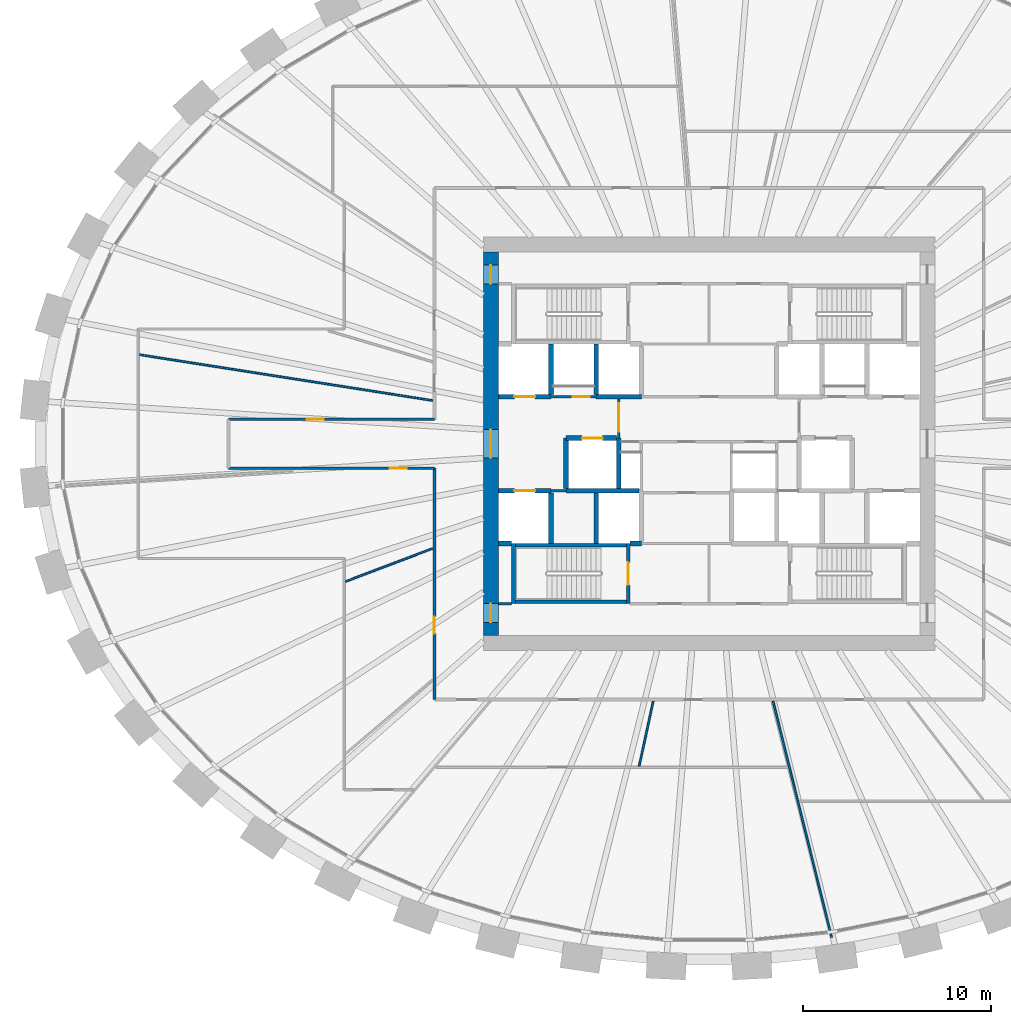
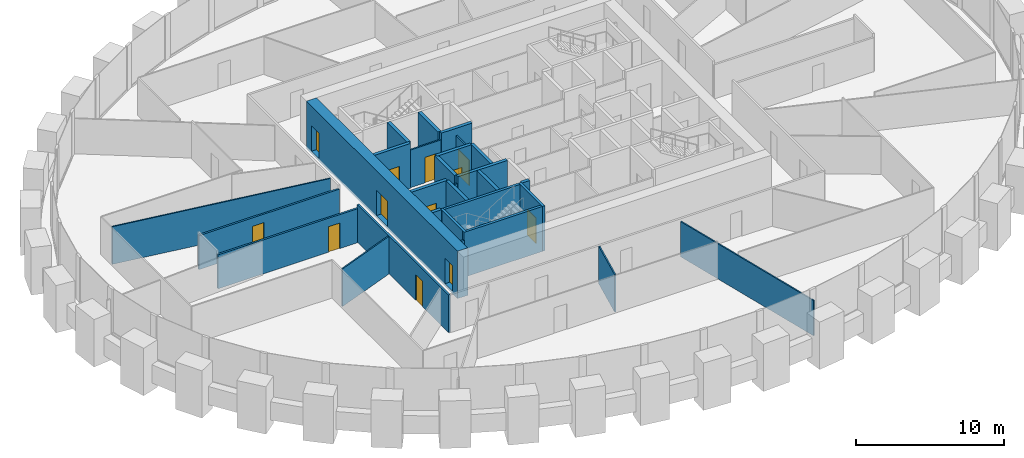
# One storey, part 6 of 11: 29 walls, 12 doors, 12 openings.
"""IFC4 building model written with IfcOpenShell, lengths in metres."""

from ifc_helpers import new_model, si_unit, direction, frame, frame_2d, origin, place, context, subcontext, project, spatial, rectangle, extrude, source, transform, mapped, material, layer, layer_set, type_object, element, fill, save


model = new_model("IFC4")

# Units and contexts
model_context = context("Model", 3, precision=1e-05, world=origin(), true_north=direction((0.0, 1.0)))
body_context = subcontext(model_context, "Body", "Model", "MODEL_VIEW")
ifc_project = project(units=[si_unit("LENGTHUNIT", "METRE"), si_unit("AREAUNIT", "SQUARE_METRE"), si_unit("VOLUMEUNIT", "CUBIC_METRE"), si_unit("PLANEANGLEUNIT", "RADIAN"), si_unit("MASSUNIT", "GRAM", prefix="KILO")], contexts=[model_context])

# Site, building, storey
site_placement = place(None, origin())
site = spatial("IfcSite", under=ifc_project, at=site_placement, CompositionType="ELEMENT")
building_placement = place(site_placement, origin())
building = spatial("IfcBuilding", under=site, at=building_placement, Name="Embergate Tower", CompositionType="ELEMENT")
storey_placement = place(building_placement, frame((0.0, 0.0, 207.300048828125)))
storey = spatial("IfcBuildingStorey", under=building, at=storey_placement, Name="L47", CompositionType="ELEMENT", Elevation=207.300048828125)

# Wall, openings, doors
ifc_material_1 = material(Name="Concrete C70", Category="concrete")
ifc_layer_1 = layer(ifc_material_1, 0.800048828125)
ifc_layer_set_1 = layer_set([ifc_layer_1], Name="Concrete C70")
wall_type_1 = type_object("IfcWallType", Name="Core outer wall C70 800", PredefinedType="SHEAR", material=ifc_layer_set_1)
shared_shape_1 = source(origin(), body_context, "Body", "SweptSolid", [
    extrude(rectangle(XDim=20.39990234375, YDim=0.800048828125, at=frame_2d((10.199951171875, 0.0))), origin(), (0.0, 0.0, 1.0), 3.89990234375),
])
wall_1_placement = place(storey_placement, frame((-11.60009765625, -10.199951171875, -0.199951171875), z_axis=(0.0, 0.0, 1.0), x_axis=(0.0, 1.0, 0.0)))
wall_1 = element("IfcWall", 1, at=wall_1_placement, inside=storey, type_object=wall_type_1, Name="CW-L47-W", PredefinedType="SHEAR", context=body_context, shape_type="MappedRepresentation", body=[
    mapped(shared_shape_1, transform((0.0, 0.0, 0.0))),
])
shared_shape_2 = source(origin(), body_context, "Body", "SweptSolid", [
    extrude(rectangle(XDim=1.0, YDim=2.10009765625, at=frame_2d((0.5, 1.050048828125))), frame((0.0, 0.409912109375, 0.0), z_axis=(0.0, -1.0, 0.0), x_axis=(1.0, 0.0, 0.0)), (0.0, 0.0, 1.0), 0.820068359375),
])
opening_1_placement = place(wall_1_placement, frame((18.699951171875, 0.0, 0.199951171875)))
opening_1 = element("IfcOpeningElement", 2, at=opening_1_placement, cuts=wall_1, Name="Opening IF-1d", PredefinedType="OPENING", context=body_context, shape_type="MappedRepresentation", body=[
    mapped(shared_shape_2, transform((0.0, 0.0, 0.0))),
])
opening_2_placement = place(wall_1_placement, frame((0.699951171875, 0.0, 0.199951171875)))
opening_2 = element("IfcOpeningElement", 3, at=opening_2_placement, cuts=wall_1, Name="Opening IF-1d", PredefinedType="OPENING", context=body_context, shape_type="MappedRepresentation", body=[
    mapped(shared_shape_2, transform((0.0, 0.0, 0.0))),
])
shared_shape_3 = source(origin(), body_context, "Body", "SweptSolid", [
    extrude(rectangle(XDim=1.5, YDim=2.10009765625, at=frame_2d((0.75, 1.050048828125))), frame((0.0, 0.409912109375, 0.0), z_axis=(0.0, -1.0, 0.0), x_axis=(1.0, 0.0, 0.0)), (0.0, 0.0, 1.0), 0.820068359375),
])
opening_3_placement = place(wall_1_placement, frame((9.449951171875, 0.0, 0.199951171875)))
opening_3 = element("IfcOpeningElement", 4, at=opening_3_placement, cuts=wall_1, Name="Opening IF-3", PredefinedType="OPENING", context=body_context, shape_type="MappedRepresentation", body=[
    mapped(shared_shape_3, transform((0.0, 0.0, 0.0))),
])
ifc_material_2 = material(Name="Lobby fire door pair 1500")
door_type_1 = type_object("IfcDoorType", Name="Lobby fire door pair 1500", OperationType="DOUBLE_DOOR_SINGLE_SWING", PredefinedType="DOOR", material=ifc_material_2)
shared_shape_4 = source(origin(), body_context, "Body", "SweptSolid", [
    extrude(rectangle(XDim=1.5, YDim=2.10009765625, at=frame_2d((0.75, 1.050048828125))), frame((0.0, 0.02490234375, 0.0), z_axis=(0.0, -1.0, 0.0), x_axis=(1.0, 0.0, 0.0)), (0.0, 0.0, 1.0), 0.050048828125),
])
door_1_placement = place(opening_3_placement, origin())
door_1 = element("IfcDoor", 5, at=door_1_placement, inside=storey, type_object=door_type_1, Name="IF-3 door", OperationType="DOUBLE_DOOR_SINGLE_SWING", OverallHeight=2.10009765625, OverallWidth=1.5, PredefinedType="DOOR", context=body_context, shape_type="MappedRepresentation", body=[
    mapped(shared_shape_4, transform((0.0, 0.0, 0.0))),
])
fill(opening_3, door_1)
ifc_material_3 = material(Name="Escape fire door 1000")
door_type_2 = type_object("IfcDoorType", Name="Escape fire door 1000", OperationType="SINGLE_SWING_LEFT", PredefinedType="DOOR", material=ifc_material_3)
shared_shape_5 = source(origin(), body_context, "Body", "SweptSolid", [
    extrude(rectangle(XDim=1.0, YDim=2.10009765625, at=frame_2d((0.5, 1.050048828125))), frame((0.0, 0.02490234375, 0.0), z_axis=(0.0, -1.0, 0.0), x_axis=(1.0, 0.0, 0.0)), (0.0, 0.0, 1.0), 0.050048828125),
])
door_2_placement = place(opening_1_placement, origin())
door_2 = element("IfcDoor", 6, at=door_2_placement, inside=storey, type_object=door_type_2, Name="IF-1 door", OperationType="SINGLE_SWING_LEFT", OverallHeight=2.10009765625, OverallWidth=1.0, PredefinedType="DOOR", context=body_context, shape_type="MappedRepresentation", body=[
    mapped(shared_shape_5, transform((0.0, 0.0, 0.0))),
])
fill(opening_1, door_2)
door_3_placement = place(opening_2_placement, origin())
door_3 = element("IfcDoor", 7, at=door_3_placement, inside=storey, type_object=door_type_2, Name="IF-1 door", OperationType="SINGLE_SWING_LEFT", OverallHeight=2.10009765625, OverallWidth=1.0, PredefinedType="DOOR", context=body_context, shape_type="MappedRepresentation", body=[
    mapped(shared_shape_5, transform((0.0, 0.0, 0.0))),
])
fill(opening_2, door_3)

# Walls
ifc_material_4 = material(Name="Concrete C50", Category="concrete")
ifc_layer_2 = layer(ifc_material_4, 0.25)
ifc_layer_set_2 = layer_set([ifc_layer_2], Name="Concrete C50")
wall_type_2 = type_object("IfcWallType", Name="Hoistway wall reinforced concrete 250", PredefinedType="SHEAR", material=ifc_layer_set_2)
shared_shape_6 = source(origin(), body_context, "Body", "SweptSolid", [
    extrude(rectangle(XDim=2.675048828125, YDim=0.25, at=frame_2d((1.33740234375, 0.0))), origin(), (0.0, 0.0, 1.0), 3.699951171875),
])
for number, where, z_axis, x_axis, name in (
    (8, (-8.39990234375, 2.625, 0.0), (0.0, 0.0, 1.0), (0.0, 1.0, 0.0), "HW-1 wall"),
    (9, (-6.0, 2.625, 0.0), (0.0, 0.0, 1.0), (0.0, 1.0, 0.0), "HW-1 wall"),
    (10, (-4.800048828125, 0.300048828125, 0.0), (0.0, 0.0, 1.0), (0.0, -1.0, 0.0), "HW-1 wall"),
):
    element("IfcWall", number, at=place(storey_placement, frame(where, z_axis=z_axis, x_axis=x_axis)), inside=storey, type_object=wall_type_2, Name=name, PredefinedType="SHEAR", context=body_context, shape_type="MappedRepresentation", body=[
        mapped(shared_shape_6, transform((0.0, 0.0, 0.0))),
    ])

# Wall, opening, door
wall_2_placement = place(storey_placement, frame((-4.925048828125, 0.300048828125, 0.0), z_axis=(0.0, 0.0, 1.0), x_axis=(-1.0, 0.0, 0.0)))
wall_2 = element("IfcWall", 11, at=wall_2_placement, inside=storey, type_object=wall_type_2, Name="HW-1 wall", PredefinedType="SHEAR", context=body_context, shape_type="MappedRepresentation", body=[
    mapped(shared_shape_6, transform((0.0, 0.0, 0.0))),
])
shared_shape_7 = source(origin(), body_context, "Body", "SweptSolid", [
    extrude(rectangle(XDim=1.10009765625, YDim=2.10009765625, at=frame_2d((0.550048828125, 1.050048828125))), frame((0.0, 0.135009765625, 0.0), z_axis=(0.0, -1.0, 0.0), x_axis=(1.0, 0.0, 0.0)), (0.0, 0.0, 1.0), 0.27001953125),
])
opening_4_placement = place(wall_2_placement, frame((0.72509765625, 0.0, 0.0)))
opening_4 = element("IfcOpeningElement", 12, at=opening_4_placement, cuts=wall_2, Name="Opening LD", PredefinedType="OPENING", context=body_context, shape_type="MappedRepresentation", body=[
    mapped(shared_shape_7, transform((0.0, 0.0, 0.0))),
])
ifc_material_5 = material(Name="Landing door sliding 1100")
door_type_3 = type_object("IfcDoorType", Name="Landing door sliding 1100", OperationType="SLIDING_TO_LEFT", PredefinedType="DOOR", material=ifc_material_5)
shared_shape_8 = source(origin(), body_context, "Body", "SweptSolid", [
    extrude(rectangle(XDim=1.10009765625, YDim=2.10009765625, at=frame_2d((0.550048828125, 1.050048828125))), frame((0.0, 0.02490234375, 0.0), z_axis=(0.0, -1.0, 0.0), x_axis=(1.0, 0.0, 0.0)), (0.0, 0.0, 1.0), 0.050048828125),
])
door_4_placement = place(opening_4_placement, origin())
door_4 = element("IfcDoor", 13, at=door_4_placement, inside=storey, type_object=door_type_3, Name="LD door", OperationType="SLIDING_TO_RIGHT", OverallHeight=2.10009765625, OverallWidth=1.10009765625, PredefinedType="DOOR", context=body_context, shape_type="MappedRepresentation", body=[
    mapped(shared_shape_8, transform((0.0, 0.0, 0.0))),
])
fill(opening_4, door_4)

# Walls
wall_3_placement = place(storey_placement, frame((-7.60009765625, 0.300048828125, 0.0), z_axis=(0.0, 0.0, 1.0), x_axis=(0.0, -1.0, 0.0)))
element("IfcWall", 14, at=wall_3_placement, inside=storey, type_object=wall_type_2, Name="HW-1 wall", PredefinedType="SHEAR", context=body_context, shape_type="MappedRepresentation", body=[
    mapped(shared_shape_6, transform((0.0, 0.0, 0.0))),
])
ifc_layer_3 = layer(ifc_material_4, 0.199951171875)
ifc_layer_set_3 = layer_set([ifc_layer_3], Name="Concrete C50")
wall_type_3 = type_object("IfcWallType", Name="Stair enclosure wall reinforced concrete 250", PredefinedType="SHEAR", material=ifc_layer_set_3)
shared_shape_9 = source(origin(), body_context, "Body", "SweptSolid", [
    extrude(rectangle(XDim=6.300048828125, YDim=0.199951171875, at=frame_2d((3.14990234375, 0.0))), origin(), (0.0, 0.0, 1.0), 3.699951171875),
])
for number, where, z_axis, x_axis, name in (
    (15, (-10.5, -5.39990234375, 0.0), (0.0, 0.0, 1.0), (1.0, 0.0, 0.0), "SE-1 wall"),
    (16, (-10.5, -8.39990234375, 0.0), (0.0, 0.0, 1.0), (1.0, 0.0, 0.0), "SE-1 wall"),
):
    element("IfcWall", number, at=place(storey_placement, frame(where, z_axis=z_axis, x_axis=x_axis)), inside=storey, type_object=wall_type_3, Name=name, PredefinedType="SHEAR", context=body_context, shape_type="MappedRepresentation", body=[
        mapped(shared_shape_9, transform((0.0, 0.0, 0.0))),
    ])

# Wall, opening, door
shared_shape_10 = source(origin(), body_context, "Body", "SweptSolid", [
    extrude(rectangle(XDim=3.199951171875, YDim=0.199951171875, at=frame_2d((1.60009765625, 0.0))), origin(), (0.0, 0.0, 1.0), 3.699951171875),
])
wall_4_placement = place(storey_placement, frame((-4.300048828125, -8.5, 0.0), z_axis=(0.0, 0.0, 1.0), x_axis=(0.0, 1.0, 0.0)))
wall_4 = element("IfcWall", 17, at=wall_4_placement, inside=storey, type_object=wall_type_3, Name="SE-1 wall", PredefinedType="SHEAR", context=body_context, shape_type="MappedRepresentation", body=[
    mapped(shared_shape_10, transform((0.0, 0.0, 0.0))),
])
shared_shape_11 = source(origin(), body_context, "Body", "SweptSolid", [
    extrude(rectangle(XDim=1.199951171875, YDim=2.10009765625, at=frame_2d((0.60009765625, 1.050048828125))), frame((0.0, 0.10986328125, 0.0), z_axis=(0.0, -1.0, 0.0), x_axis=(1.0, 0.0, 0.0)), (0.0, 0.0, 1.0), 0.219970703125),
])
opening_5_placement = place(wall_4_placement, frame((1.0, 0.0, 0.0)))
opening_5 = element("IfcOpeningElement", 18, at=opening_5_placement, cuts=wall_4, Name="Opening IF-2", PredefinedType="OPENING", context=body_context, shape_type="MappedRepresentation", body=[
    mapped(shared_shape_11, transform((0.0, 0.0, 0.0))),
])
ifc_material_6 = material(Name="Stair enclosure door 1200")
door_type_4 = type_object("IfcDoorType", Name="Stair enclosure door 1200", OperationType="SINGLE_SWING_LEFT", PredefinedType="DOOR", material=ifc_material_6)
shared_shape_12 = source(origin(), body_context, "Body", "SweptSolid", [
    extrude(rectangle(XDim=1.199951171875, YDim=2.10009765625, at=frame_2d((0.60009765625, 1.050048828125))), frame((0.0, 0.02490234375, 0.0), z_axis=(0.0, -1.0, 0.0), x_axis=(1.0, 0.0, 0.0)), (0.0, 0.0, 1.0), 0.050048828125),
])
door_5_placement = place(opening_5_placement, origin())
door_5 = element("IfcDoor", 19, at=door_5_placement, inside=storey, type_object=door_type_4, Name="IF-2 door", OperationType="SINGLE_SWING_RIGHT", OverallHeight=2.10009765625, OverallWidth=1.199951171875, PredefinedType="DOOR", context=body_context, shape_type="MappedRepresentation", body=[
    mapped(shared_shape_12, transform((0.0, 0.0, 0.0))),
])
fill(opening_5, door_5)

# Wall
shared_shape_13 = source(origin(), body_context, "Body", "SweptSolid", [
    extrude(rectangle(XDim=2.39990234375, YDim=0.25, at=frame_2d((1.199951171875, 0.0))), origin(), (0.0, 0.0, 1.0), 3.699951171875),
])
wall_5_placement = place(storey_placement, frame((-6.0, 2.5, 0.0), z_axis=(0.0, 0.0, 1.0), x_axis=(1.0, 0.0, 0.0)))
element("IfcWall", 20, at=wall_5_placement, inside=storey, type_object=wall_type_2, Name="HW-1 wall", PredefinedType="SHEAR", context=body_context, shape_type="MappedRepresentation", body=[
    mapped(shared_shape_13, transform((0.0, 0.0, 0.0))),
])

# Wall, opening, door
ifc_material_7 = material(Name="Core partition blockwork 120")
ifc_layer_4 = layer(ifc_material_7, 0.1201171875)
ifc_layer_set_4 = layer_set([ifc_layer_4], Name="Core partition blockwork 120")
wall_type_4 = type_object("IfcWallType", Name="Core partition blockwork 120", PredefinedType="PARTITIONING", material=ifc_layer_set_4)
shared_shape_14 = source(origin(), body_context, "Body", "SweptSolid", [
    extrude(rectangle(XDim=2.074951171875, YDim=0.1201171875, at=frame_2d((1.03759765625, 0.0))), origin(), (0.0, 0.0, 1.0), 3.099853515625),
])
wall_6_placement = place(storey_placement, frame((-4.800048828125, 2.375, 0.0), z_axis=(0.0, 0.0, 1.0), x_axis=(0.0, -1.0, 0.0)))
wall_6 = element("IfcWall", 21, at=wall_6_placement, inside=storey, type_object=wall_type_4, Name="IP-3 wall", PredefinedType="PARTITIONING", context=body_context, shape_type="MappedRepresentation", body=[
    mapped(shared_shape_14, transform((0.0, 0.0, 0.0))),
])
shared_shape_15 = source(origin(), body_context, "Body", "SweptSolid", [
    extrude(rectangle(XDim=1.5, YDim=2.10009765625, at=frame_2d((0.75, 1.050048828125))), frame((0.0, 0.070068359375, 0.0), z_axis=(0.0, -1.0, 0.0), x_axis=(1.0, 0.0, 0.0)), (0.0, 0.0, 1.0), 0.14013671875),
])
opening_6_placement = place(wall_6_placement, frame((0.22509765625, 0.0, 0.0)))
opening_6 = element("IfcOpeningElement", 22, at=opening_6_placement, cuts=wall_6, Name="Opening IF-3", PredefinedType="OPENING", context=body_context, shape_type="MappedRepresentation", body=[
    mapped(shared_shape_15, transform((0.0, 0.0, 0.0))),
])
door_6_placement = place(opening_6_placement, origin())
door_6 = element("IfcDoor", 23, at=door_6_placement, inside=storey, type_object=door_type_1, Name="IF-3 door", OperationType="DOUBLE_DOOR_SINGLE_SWING", OverallHeight=2.10009765625, OverallWidth=1.5, PredefinedType="DOOR", context=body_context, shape_type="MappedRepresentation", body=[
    mapped(shared_shape_4, transform((0.0, 0.0, 0.0))),
])
fill(opening_6, door_6)

ifc_material_8 = material(Name="Corridor wall dry-lined 150")
ifc_layer_5 = layer(ifc_material_8, 0.14990234375)
ifc_layer_set_5 = layer_set([ifc_layer_5], Name="Corridor wall dry-lined 150")
wall_type_5 = type_object("IfcWallType", Name="Corridor wall dry-lined 150", PredefinedType="PARTITIONING", material=ifc_layer_set_5)
shared_shape_16 = source(origin(), body_context, "Body", "SweptSolid", [
    extrude(rectangle(XDim=10.949951171875, YDim=0.14990234375, at=frame_2d((5.47509765625, 0.0))), origin(), (0.0, 0.0, 1.0), 2.800048828125),
])
wall_7_placement = place(storey_placement, frame((-25.550048828125, -1.300048828125, 0.0), z_axis=(0.0, 0.0, 1.0), x_axis=(1.0, 0.0, 0.0)))
wall_7 = element("IfcWall", 24, at=wall_7_placement, inside=storey, type_object=wall_type_5, Name="IP-2 wall", PredefinedType="PARTITIONING", context=body_context, shape_type="MappedRepresentation", body=[
    mapped(shared_shape_16, transform((0.0, 0.0, 0.0))),
])
shared_shape_17 = source(origin(), body_context, "Body", "SweptSolid", [
    extrude(rectangle(XDim=0.89990234375, YDim=2.10009765625, at=frame_2d((0.449951171875, 1.050048828125))), frame((0.0, 0.0849609375, 0.0), z_axis=(0.0, -1.0, 0.0), x_axis=(1.0, 0.0, 0.0)), (0.0, 0.0, 1.0), 0.169921875),
])
opening_7_placement = place(wall_7_placement, frame((8.5869140625, 0.0, 0.0)))
opening_7 = element("IfcOpeningElement", 25, at=opening_7_placement, cuts=wall_7, Name="Opening IF-1c", PredefinedType="OPENING", context=body_context, shape_type="MappedRepresentation", body=[
    mapped(shared_shape_17, transform((0.0, 0.0, 0.0))),
])
ifc_material_9 = material(Name="Escape fire door 900")
door_type_5 = type_object("IfcDoorType", Name="Escape fire door 900", OperationType="SINGLE_SWING_LEFT", PredefinedType="DOOR", material=ifc_material_9)
shared_shape_18 = source(origin(), body_context, "Body", "SweptSolid", [
    extrude(rectangle(XDim=0.89990234375, YDim=2.10009765625, at=frame_2d((0.449951171875, 1.050048828125))), frame((0.0, 0.02490234375, 0.0), z_axis=(0.0, -1.0, 0.0), x_axis=(1.0, 0.0, 0.0)), (0.0, 0.0, 1.0), 0.050048828125),
])
door_7_placement = place(opening_7_placement, origin())
door_7 = element("IfcDoor", 26, at=door_7_placement, inside=storey, type_object=door_type_5, Name="IF-1 door", OperationType="SINGLE_SWING_LEFT", OverallHeight=2.10009765625, OverallWidth=0.89990234375, PredefinedType="DOOR", context=body_context, shape_type="MappedRepresentation", body=[
    mapped(shared_shape_18, transform((0.0, 0.0, 0.0))),
])
fill(opening_7, door_7)

wall_8_placement = place(storey_placement, frame((-14.60009765625, 1.300048828125, 0.0), z_axis=(0.0, 0.0, 1.0), x_axis=(-1.0, 0.0, 0.0)))
wall_8 = element("IfcWall", 27, at=wall_8_placement, inside=storey, type_object=wall_type_5, Name="IP-2 wall", PredefinedType="PARTITIONING", context=body_context, shape_type="MappedRepresentation", body=[
    mapped(shared_shape_16, transform((0.0, 0.0, 0.0))),
])
opening_8_placement = place(wall_8_placement, frame((5.875, 0.0, 0.0)))
opening_8 = element("IfcOpeningElement", 28, at=opening_8_placement, cuts=wall_8, Name="Opening IF-1c", PredefinedType="OPENING", context=body_context, shape_type="MappedRepresentation", body=[
    mapped(shared_shape_17, transform((0.0, 0.0, 0.0))),
])
door_8_placement = place(opening_8_placement, origin())
door_8 = element("IfcDoor", 29, at=door_8_placement, inside=storey, type_object=door_type_5, Name="IF-1 door", OperationType="SINGLE_SWING_LEFT", OverallHeight=2.10009765625, OverallWidth=0.89990234375, PredefinedType="DOOR", context=body_context, shape_type="MappedRepresentation", body=[
    mapped(shared_shape_18, transform((0.0, 0.0, 0.0))),
])
fill(opening_8, door_8)

shared_shape_19 = source(origin(), body_context, "Body", "SweptSolid", [
    extrude(rectangle(XDim=2.800048828125, YDim=0.25, at=frame_2d((1.39990234375, 0.0))), origin(), (0.0, 0.0, 1.0), 3.699951171875),
])
wall_9_placement = place(storey_placement, frame((-11.199951171875, 2.5, 0.0), z_axis=(0.0, 0.0, 1.0), x_axis=(1.0, 0.0, 0.0)))
wall_9 = element("IfcWall", 30, at=wall_9_placement, inside=storey, type_object=wall_type_2, Name="HW-1 wall", PredefinedType="SHEAR", context=body_context, shape_type="MappedRepresentation", body=[
    mapped(shared_shape_19, transform((0.0, 0.0, 0.0))),
])
opening_9_placement = place(wall_9_placement, frame((0.85009765625, 0.0, 0.0)))
opening_9 = element("IfcOpeningElement", 31, at=opening_9_placement, cuts=wall_9, Name="Opening LD", PredefinedType="OPENING", context=body_context, shape_type="MappedRepresentation", body=[
    mapped(shared_shape_7, transform((0.0, 0.0, 0.0))),
])
door_9_placement = place(opening_9_placement, origin())
door_9 = element("IfcDoor", 32, at=door_9_placement, inside=storey, type_object=door_type_3, Name="LD door", OperationType="SLIDING_TO_RIGHT", OverallHeight=2.10009765625, OverallWidth=1.10009765625, PredefinedType="DOOR", context=body_context, shape_type="MappedRepresentation", body=[
    mapped(shared_shape_8, transform((0.0, 0.0, 0.0))),
])
fill(opening_9, door_9)

wall_10_placement = place(storey_placement, frame((-8.39990234375, -2.5, 0.0), z_axis=(0.0, 0.0, 1.0), x_axis=(-1.0, 0.0, 0.0)))
wall_10 = element("IfcWall", 33, at=wall_10_placement, inside=storey, type_object=wall_type_2, Name="HW-1 wall", PredefinedType="SHEAR", context=body_context, shape_type="MappedRepresentation", body=[
    mapped(shared_shape_19, transform((0.0, 0.0, 0.0))),
])
opening_10_placement = place(wall_10_placement, frame((0.85009765625, 0.0, 0.0)))
opening_10 = element("IfcOpeningElement", 34, at=opening_10_placement, cuts=wall_10, Name="Opening LD", PredefinedType="OPENING", context=body_context, shape_type="MappedRepresentation", body=[
    mapped(shared_shape_7, transform((0.0, 0.0, 0.0))),
])
door_10_placement = place(opening_10_placement, origin())
door_10 = element("IfcDoor", 35, at=door_10_placement, inside=storey, type_object=door_type_3, Name="LD door", OperationType="SLIDING_TO_LEFT", OverallHeight=2.10009765625, OverallWidth=1.10009765625, PredefinedType="DOOR", context=body_context, shape_type="MappedRepresentation", body=[
    mapped(shared_shape_8, transform((0.0, 0.0, 0.0))),
])
fill(opening_10, door_10)

# Walls
shared_shape_20 = source(origin(), body_context, "Body", "SweptSolid", [
    extrude(rectangle(XDim=0.599853515625, YDim=0.25, at=frame_2d((0.2998046875, 0.0))), origin(), (0.0, 0.0, 1.0), 3.699951171875),
])
wall_11_placement = place(storey_placement, frame((-4.199951171875, -5.300048828125, 0.0), z_axis=(0.0, 0.0, 1.0), x_axis=(1.0, 0.0, 0.0)))
element("IfcWall", 36, at=wall_11_placement, inside=storey, type_object=wall_type_2, Name="HW-1 wall", PredefinedType="SHEAR", context=body_context, shape_type="MappedRepresentation", body=[
    mapped(shared_shape_20, transform((0.0, 0.0, 0.0))),
])
shared_shape_21 = source(origin(), body_context, "Body", "SweptSolid", [
    extrude(rectangle(XDim=3.872802734375, YDim=0.25, at=frame_2d((1.9365234375, 0.0))), origin(), (0.0, 0.0, 1.0), 3.699951171875),
])
wall_12_placement = place(storey_placement, frame((-3.72509765625, -2.5, 0.0), z_axis=(0.0, 0.0, 1.0), x_axis=(-1.0, 0.0, 0.0)))
element("IfcWall", 37, at=wall_12_placement, inside=storey, type_object=wall_type_2, Name="HW-1 wall", PredefinedType="SHEAR", context=body_context, shape_type="MappedRepresentation", body=[
    mapped(shared_shape_21, transform((0.0, 0.0, 0.0))),
])
shared_shape_22 = source(origin(), body_context, "Body", "SweptSolid", [
    extrude(rectangle(XDim=3.196044921875, YDim=0.199951171875, at=frame_2d((1.59814453125, 0.0))), origin(), (0.0, 0.0, 1.0), 3.699951171875),
])
wall_13_placement = place(storey_placement, frame((-10.39990234375, -5.302001953125, 0.0), z_axis=(0.0, 0.0, 1.0), x_axis=(0.0, -1.0, 0.0)))
element("IfcWall", 38, at=wall_13_placement, inside=storey, type_object=wall_type_3, Name="SE-1 wall", PredefinedType="SHEAR", context=body_context, shape_type="MappedRepresentation", body=[
    mapped(shared_shape_22, transform((0.0, 0.0, 0.0))),
])
shared_shape_23 = source(origin(), body_context, "Body", "SweptSolid", [
    extrude(rectangle(XDim=0.697998046875, YDim=0.25, at=frame_2d((0.34912109375, 0.0))), origin(), (0.0, 0.0, 1.0), 3.699951171875),
])
wall_14_placement = place(storey_placement, frame((-11.199951171875, -5.300048828125, 0.0), z_axis=(0.0, 0.0, 1.0), x_axis=(1.0, 0.0, 0.0)))
element("IfcWall", 39, at=wall_14_placement, inside=storey, type_object=wall_type_2, Name="HW-1 wall", PredefinedType="SHEAR", context=body_context, shape_type="MappedRepresentation", body=[
    mapped(shared_shape_23, transform((0.0, 0.0, 0.0))),
])
shared_shape_24 = source(origin(), body_context, "Body", "SweptSolid", [
    extrude(rectangle(XDim=2.671142578125, YDim=0.25, at=frame_2d((1.33544921875, 0.0))), origin(), (0.0, 0.0, 1.0), 3.699951171875),
])
for number, where, z_axis, x_axis, name in (
    (40, (-8.39990234375, -5.298095703125, 0.0), (0.0, 0.0, 1.0), (0.0, 1.0, 0.0), "HW-1 wall"),
    (41, (-6.0, -2.626953125, 0.0), (0.0, 0.0, 1.0), (0.0, -1.0, 0.0), "HW-1 wall"),
):
    element("IfcWall", number, at=place(storey_placement, frame(where, z_axis=z_axis, x_axis=x_axis)), inside=storey, type_object=wall_type_2, Name=name, PredefinedType="SHEAR", context=body_context, shape_type="MappedRepresentation", body=[
        mapped(shared_shape_24, transform((0.0, 0.0, 0.0))),
    ])

# Wall, opening, door
shared_shape_25 = source(origin(), body_context, "Body", "SweptSolid", [
    extrude(rectangle(XDim=2.39990234375, YDim=0.1201171875, at=frame_2d((1.199951171875, 0.0))), origin(), (0.0, 0.0, 1.0), 3.099853515625),
])
wall_15_placement = place(storey_placement, frame((-8.39990234375, 2.5, 0.0), z_axis=(0.0, 0.0, 1.0), x_axis=(1.0, 0.0, 0.0)))
wall_15 = element("IfcWall", 42, at=wall_15_placement, inside=storey, type_object=wall_type_4, Name="IP-3 wall", PredefinedType="PARTITIONING", context=body_context, shape_type="MappedRepresentation", body=[
    mapped(shared_shape_25, transform((0.0, 0.0, 0.0))),
])
shared_shape_26 = source(origin(), body_context, "Body", "SweptSolid", [
    extrude(rectangle(XDim=0.89990234375, YDim=2.10009765625, at=frame_2d((0.449951171875, 1.050048828125))), frame((0.0, 0.070068359375, 0.0), z_axis=(0.0, -1.0, 0.0), x_axis=(1.0, 0.0, 0.0)), (0.0, 0.0, 1.0), 0.14013671875),
])
opening_11_placement = place(wall_15_placement, frame((1.14990234375, 0.0, 0.0)))
opening_11 = element("IfcOpeningElement", 43, at=opening_11_placement, cuts=wall_15, Name="Opening ID-1", PredefinedType="OPENING", context=body_context, shape_type="MappedRepresentation", body=[
    mapped(shared_shape_26, transform((0.0, 0.0, 0.0))),
])
ifc_material_10 = material(Name="Interior door 900")
door_type_6 = type_object("IfcDoorType", Name="Interior door 900", OperationType="SINGLE_SWING_LEFT", PredefinedType="DOOR", material=ifc_material_10)
door_11_placement = place(opening_11_placement, origin())
door_11 = element("IfcDoor", 44, at=door_11_placement, inside=storey, type_object=door_type_6, Name="ID-1 door", OperationType="SINGLE_SWING_LEFT", OverallHeight=2.10009765625, OverallWidth=0.89990234375, PredefinedType="DOOR", context=body_context, shape_type="MappedRepresentation", body=[
    mapped(shared_shape_18, transform((0.0, 0.0, 0.0))),
])
fill(opening_11, door_11)

# Walls
shared_shape_27 = source(origin(), body_context, "Body", "SweptSolid", [
    extrude(rectangle(XDim=0.7958984375, YDim=0.1201171875, at=frame_2d((0.39794921875, 0.0))), origin(), (0.0, 0.0, 1.0), 3.099853515625),
])
wall_16_placement = place(storey_placement, frame((-8.39794921875, -2.5, 0.0), z_axis=(0.0, 0.0, 1.0), x_axis=(1.0, 0.0, 0.0)))
element("IfcWall", 45, at=wall_16_placement, inside=storey, type_object=wall_type_4, Name="IP-3 wall", PredefinedType="PARTITIONING", context=body_context, shape_type="MappedRepresentation", body=[
    mapped(shared_shape_27, transform((0.0, 0.0, 0.0))),
])
shared_shape_28 = source(origin(), body_context, "Body", "SweptSolid", [
    extrude(rectangle(XDim=0.697998046875, YDim=0.1201171875, at=frame_2d((0.34912109375, 0.0))), origin(), (0.0, 0.0, 1.0), 3.099853515625),
])
wall_17_placement = place(storey_placement, frame((-10.501953125, -8.5, 0.0), z_axis=(0.0, 0.0, 1.0), x_axis=(-1.0, 0.0, 0.0)))
element("IfcWall", 46, at=wall_17_placement, inside=storey, type_object=wall_type_4, Name="IP-3 wall", PredefinedType="PARTITIONING", context=body_context, shape_type="MappedRepresentation", body=[
    mapped(shared_shape_28, transform((0.0, 0.0, 0.0))),
])
ifc_material_11 = material(Name="Partition dry-lined 100")
ifc_layer_6 = layer(ifc_material_11, 0.10009765625)
ifc_layer_set_6 = layer_set([ifc_layer_6], Name="Partition dry-lined 100")
wall_type_6 = type_object("IfcWallType", Name="Partition dry-lined 100", PredefinedType="PARTITIONING", material=ifc_layer_set_6)
shared_shape_29 = source(origin(), body_context, "Body", "SweptSolid", [
    extrude(rectangle(XDim=12.931640625, YDim=0.10009765625, at=frame_2d((6.4658203125, 0.0))), origin(), (0.0, 0.0, 1.0), 2.89990234375),
])
wall_18_placement = place(storey_placement, frame((3.39990234375, -13.68701171875, 0.0), z_axis=(0.0, 0.0, 1.0), x_axis=(0.241127191359, -0.970493522692, 0.0)))
element("IfcWall", 47, at=wall_18_placement, inside=storey, type_object=wall_type_6, Name="IP-1 wall", PredefinedType="PARTITIONING", context=body_context, shape_type="MappedRepresentation", body=[
    mapped(shared_shape_29, transform((0.0, 0.0, 0.0))),
])

# Wall, opening, door
shared_shape_30 = source(origin(), body_context, "Body", "SweptSolid", [
    extrude(rectangle(XDim=12.300048828125, YDim=0.14990234375, at=frame_2d((6.14990234375, 0.0))), origin(), (0.0, 0.0, 1.0), 3.099853515625),
])
wall_19_placement = place(storey_placement, frame((-14.60009765625, -1.300048828125, 0.0), z_axis=(0.0, 0.0, 1.0), x_axis=(0.0, -1.0, 0.0)))
wall_19 = element("IfcWall", 48, at=wall_19_placement, inside=storey, type_object=wall_type_5, Name="IP-2 wall", PredefinedType="PARTITIONING", context=body_context, shape_type="MappedRepresentation", body=[
    mapped(shared_shape_30, transform((0.0, 0.0, 0.0))),
])
opening_12_placement = place(wall_19_placement, frame((7.89404296875, 0.0, 0.0)))
opening_12 = element("IfcOpeningElement", 49, at=opening_12_placement, cuts=wall_19, Name="Opening IF-1c", PredefinedType="OPENING", context=body_context, shape_type="MappedRepresentation", body=[
    mapped(shared_shape_17, transform((0.0, 0.0, 0.0))),
])
door_12_placement = place(opening_12_placement, origin())
door_12 = element("IfcDoor", 50, at=door_12_placement, inside=storey, type_object=door_type_5, Name="IF-1 door", OperationType="SINGLE_SWING_LEFT", OverallHeight=2.10009765625, OverallWidth=0.89990234375, PredefinedType="DOOR", context=body_context, shape_type="MappedRepresentation", body=[
    mapped(shared_shape_18, transform((0.0, 0.0, 0.0))),
])
fill(opening_12, door_12)

# Walls
shared_shape_31 = source(origin(), body_context, "Body", "SweptSolid", [
    extrude(rectangle(XDim=4.961181640625, YDim=0.10009765625, at=frame_2d((2.48046875, 0.0))), origin(), (0.0, 0.0, 1.0), 3.099853515625),
])
wall_20_placement = place(storey_placement, frame((-14.693115234375, -5.569091796875, 0.0), z_axis=(0.0, 0.0, 1.0), x_axis=(-0.935050972138, -0.354513299473, 0.0)))
element("IfcWall", 51, at=wall_20_placement, inside=storey, type_object=wall_type_6, Name="IP-1 wall", PredefinedType="PARTITIONING", context=body_context, shape_type="MappedRepresentation", body=[
    mapped(shared_shape_31, transform((0.0, 0.0, 0.0))),
])
shared_shape_32 = source(origin(), body_context, "Body", "SweptSolid", [
    extrude(rectangle(XDim=3.532958984375, YDim=0.10009765625, at=frame_2d((1.7666015625, 0.0))), origin(), (0.0, 0.0, 1.0), 3.099853515625),
])
wall_21_placement = place(storey_placement, frame((-2.967041015625, -13.68603515625, 0.0), z_axis=(0.0, 0.0, 1.0), x_axis=(-0.211732445462, -0.977327668461, 0.0)))
element("IfcWall", 52, at=wall_21_placement, inside=storey, type_object=wall_type_6, Name="IP-1 wall", PredefinedType="PARTITIONING", context=body_context, shape_type="MappedRepresentation", body=[
    mapped(shared_shape_32, transform((0.0, 0.0, 0.0))),
])
shared_shape_33 = source(origin(), body_context, "Body", "SweptSolid", [
    extrude(rectangle(XDim=15.798583984375, YDim=0.10009765625, at=frame_2d((7.8994140625, 0.0))), origin(), (0.0, 0.0, 1.0), 3.099853515625),
])
wall_22_placement = place(storey_placement, frame((-14.68310546875, 2.294921875, 0.0), z_axis=(0.0, 0.0, 1.0), x_axis=(-0.987999508657, 0.154457019567, 0.0)))
element("IfcWall", 53, at=wall_22_placement, inside=storey, type_object=wall_type_6, Name="IP-1 wall", PredefinedType="PARTITIONING", context=body_context, shape_type="MappedRepresentation", body=[
    mapped(shared_shape_33, transform((0.0, 0.0, 0.0))),
])

save(model, "model.ifc")
